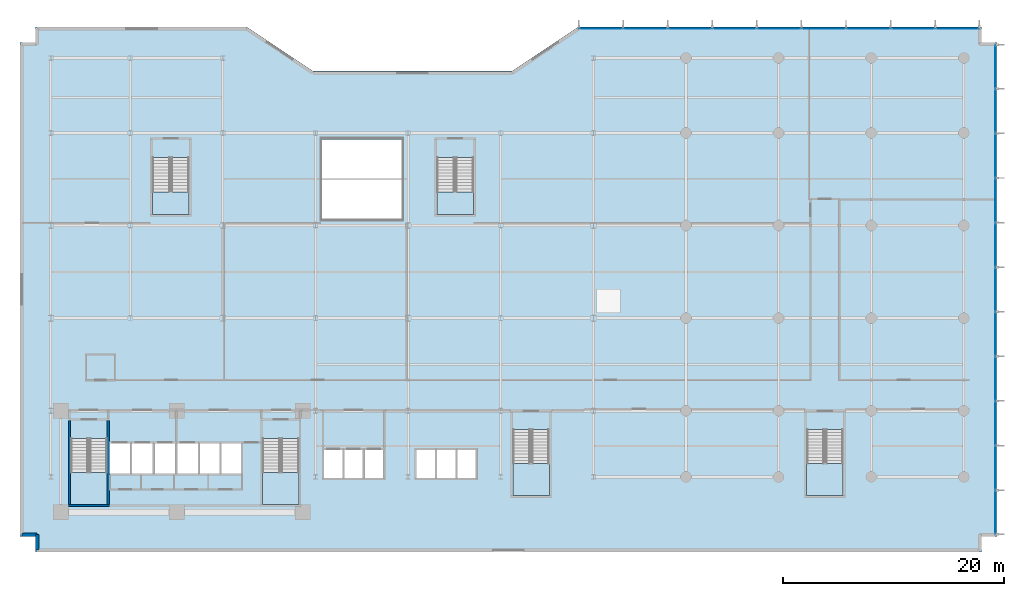
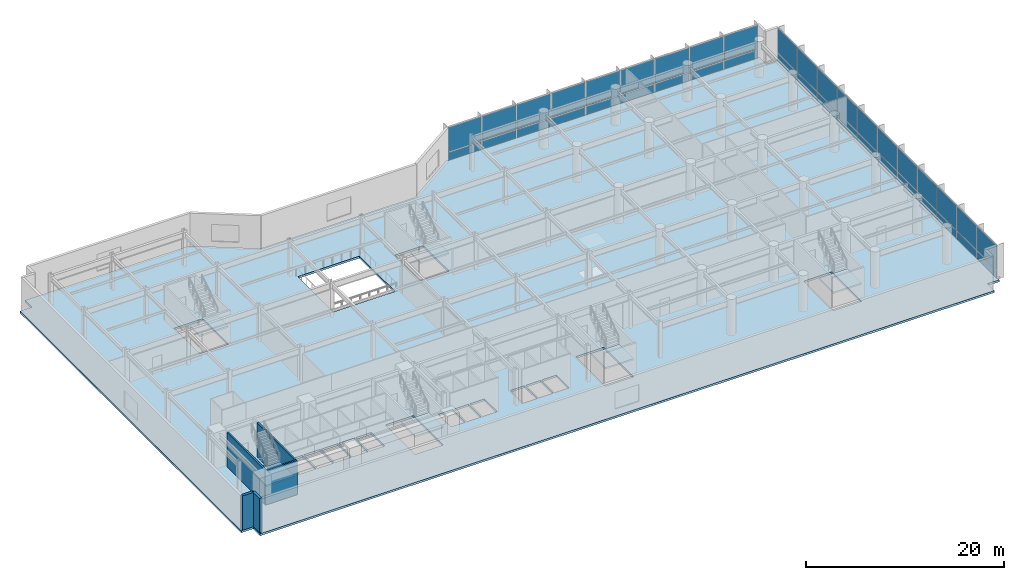
# One storey, part 13 of 26: 40 plates, 7 slabs, 5 walls, 8 elements without a shape of their own.
"""IFC4 building model written with IfcOpenShell, lengths in metres."""

from ifc_helpers import new_model, si_unit, direction, frame, frame_2d, origin, origin_2d, place, context, subcontext, project, spatial, polyline, rectangle, outline, extrude, material, layer, layer_set, type_object, element, aggregate, save


model = new_model("IFC4")

# Units and contexts
model_context = context("Model", 3, precision=1e-05, world=origin(), true_north=direction((0.0, 1.0)))
body_context = subcontext(model_context, "Body", "Model", "MODEL_VIEW")
ifc_project = project(units=[si_unit("LENGTHUNIT", "METRE"), si_unit("AREAUNIT", "SQUARE_METRE"), si_unit("VOLUMEUNIT", "CUBIC_METRE"), si_unit("PLANEANGLEUNIT", "RADIAN"), si_unit("MASSUNIT", "GRAM", prefix="KILO")], contexts=[model_context])

# Site, building, storey
site_placement = place(None, origin())
site = spatial("IfcSite", under=ifc_project, at=site_placement, CompositionType="ELEMENT")
building_placement = place(site_placement, origin())
building = spatial("IfcBuilding", under=site, at=building_placement, Name="Varnakote Quay Hospital", CompositionType="ELEMENT")
storey_placement = place(building_placement, frame((0.0, 0.0, 4.5)))
storey = spatial("IfcBuildingStorey", under=building, at=storey_placement, Name="L01", CompositionType="ELEMENT", Elevation=4.5)

# Curtain wall, plates
ifc_material_1 = material(Name="Anodised aluminium 6063-T6 Bronze", Category="aluminium")
ifc_layer_1 = layer(ifc_material_1, 0.175048828125)
ifc_layer_set_1 = layer_set([ifc_layer_1], Name="Anodised aluminium 6063-T6 Bronze")
curtain_wall_type = type_object("IfcCurtainWallType", Name="CW-SYS-1", PredefinedType="NOTDEFINED", material=ifc_layer_set_1)
curtain_wall_1_placement = place(storey_placement, origin())
curtain_wall_1 = element("IfcCurtainWall", 1, at=curtain_wall_1_placement, inside=storey, type_object=curtain_wall_type, Name="L01 Unitised Bronze Curtain Wall 1", PredefinedType="NOTDEFINED")
ifc_material_2 = material(Name="Double-glazed acoustic laminated glass", Category="glass")
ifc_layer_2 = layer(ifc_material_2, 0.031982421875)
ifc_layer_set_2 = layer_set([ifc_layer_2], Name="Double-glazed acoustic laminated glass")
plate_type = type_object("IfcPlateType", Name="CW-PNL-GLZ-32", PredefinedType="CURTAIN_PANEL", material=ifc_layer_set_2)
plate_1_placement = place(storey_placement, frame((86.840087890625, 2.802978515625, 0.0849609375), z_axis=(0.0, 0.0, 1.0), x_axis=(0.0, 1.0, 0.0)))
plate_1 = element("IfcPlate", 2, at=plate_1_placement, type_object=plate_type, Name="-1-L01-1 panel 1.1", PredefinedType="CURTAIN_PANEL", context=body_context, shape_type="SweptSolid", body=[
    extrude(rectangle(XDim=3.916015625, YDim=0.031982421875, at=origin_2d()), origin(), (0.0, 0.0, 1.0), 0.972412109375),
])
plate_2_placement = place(storey_placement, frame((86.840087890625, 2.802978515625, 1.142578125), z_axis=(0.0, 0.0, 1.0), x_axis=(0.0, 1.0, 0.0)))
plate_2 = element("IfcPlate", 3, at=plate_2_placement, type_object=plate_type, Name="-1-L01-1 panel 1.2", PredefinedType="CURTAIN_PANEL", context=body_context, shape_type="SweptSolid", body=[
    extrude(rectangle(XDim=3.916015625, YDim=0.031982421875, at=origin_2d()), origin(), (0.0, 0.0, 1.0), 3.0224609375),
])
plate_3_placement = place(storey_placement, frame((86.840087890625, 6.825439453125, 0.0849609375), z_axis=(0.0, 0.0, 1.0), x_axis=(0.0, 1.0, 0.0)))
plate_3 = element("IfcPlate", 4, at=plate_3_placement, type_object=plate_type, Name="-1-L01-1 panel 2.1", PredefinedType="CURTAIN_PANEL", context=body_context, shape_type="SweptSolid", body=[
    extrude(rectangle(XDim=3.958740234375, YDim=0.031982421875, at=origin_2d()), origin(), (0.0, 0.0, 1.0), 0.972412109375),
])
plate_4_placement = place(storey_placement, frame((86.840087890625, 6.825439453125, 1.142578125), z_axis=(0.0, 0.0, 1.0), x_axis=(0.0, 1.0, 0.0)))
plate_4 = element("IfcPlate", 5, at=plate_4_placement, type_object=plate_type, Name="-1-L01-1 panel 2.2", PredefinedType="CURTAIN_PANEL", context=body_context, shape_type="SweptSolid", body=[
    extrude(rectangle(XDim=3.958740234375, YDim=0.031982421875, at=origin_2d()), origin(), (0.0, 0.0, 1.0), 3.0224609375),
])
plate_5_placement = place(storey_placement, frame((86.840087890625, 10.869140625, 0.0849609375), z_axis=(0.0, 0.0, 1.0), x_axis=(0.0, 1.0, 0.0)))
plate_5 = element("IfcPlate", 6, at=plate_5_placement, type_object=plate_type, Name="-1-L01-1 panel 3.1", PredefinedType="CURTAIN_PANEL", context=body_context, shape_type="SweptSolid", body=[
    extrude(rectangle(XDim=3.958740234375, YDim=0.031982421875, at=origin_2d()), origin(), (0.0, 0.0, 1.0), 0.972412109375),
])
plate_6_placement = place(storey_placement, frame((86.840087890625, 10.869140625, 1.142578125), z_axis=(0.0, 0.0, 1.0), x_axis=(0.0, 1.0, 0.0)))
plate_6 = element("IfcPlate", 7, at=plate_6_placement, type_object=plate_type, Name="-1-L01-1 panel 3.2", PredefinedType="CURTAIN_PANEL", context=body_context, shape_type="SweptSolid", body=[
    extrude(rectangle(XDim=3.958740234375, YDim=0.031982421875, at=origin_2d()), origin(), (0.0, 0.0, 1.0), 3.0224609375),
])
plate_7_placement = place(storey_placement, frame((86.840087890625, 14.912841796875, 0.0849609375), z_axis=(0.0, 0.0, 1.0), x_axis=(0.0, 1.0, 0.0)))
plate_7 = element("IfcPlate", 8, at=plate_7_placement, type_object=plate_type, Name="-1-L01-1 panel 4.1", PredefinedType="CURTAIN_PANEL", context=body_context, shape_type="SweptSolid", body=[
    extrude(rectangle(XDim=3.958740234375, YDim=0.031982421875, at=origin_2d()), origin(), (0.0, 0.0, 1.0), 0.972412109375),
])
plate_8_placement = place(storey_placement, frame((86.840087890625, 14.912841796875, 1.142578125), z_axis=(0.0, 0.0, 1.0), x_axis=(0.0, 1.0, 0.0)))
plate_8 = element("IfcPlate", 9, at=plate_8_placement, type_object=plate_type, Name="-1-L01-1 panel 4.2", PredefinedType="CURTAIN_PANEL", context=body_context, shape_type="SweptSolid", body=[
    extrude(rectangle(XDim=3.958740234375, YDim=0.031982421875, at=origin_2d()), origin(), (0.0, 0.0, 1.0), 3.0224609375),
])
plate_9_placement = place(storey_placement, frame((86.840087890625, 18.956298828125, 0.0849609375), z_axis=(0.0, 0.0, 1.0), x_axis=(0.0, 1.0, 0.0)))
plate_9 = element("IfcPlate", 10, at=plate_9_placement, type_object=plate_type, Name="-1-L01-1 panel 5.1", PredefinedType="CURTAIN_PANEL", context=body_context, shape_type="SweptSolid", body=[
    extrude(rectangle(XDim=3.958740234375, YDim=0.031982421875, at=origin_2d()), origin(), (0.0, 0.0, 1.0), 0.972412109375),
])
plate_10_placement = place(storey_placement, frame((86.840087890625, 18.956298828125, 1.142578125), z_axis=(0.0, 0.0, 1.0), x_axis=(0.0, 1.0, 0.0)))
plate_10 = element("IfcPlate", 11, at=plate_10_placement, type_object=plate_type, Name="-1-L01-1 panel 5.2", PredefinedType="CURTAIN_PANEL", context=body_context, shape_type="SweptSolid", body=[
    extrude(rectangle(XDim=3.958740234375, YDim=0.031982421875, at=origin_2d()), origin(), (0.0, 0.0, 1.0), 3.0224609375),
])
plate_11_placement = place(storey_placement, frame((86.840087890625, 23.0, 0.0849609375), z_axis=(0.0, 0.0, 1.0), x_axis=(0.0, 1.0, 0.0)))
plate_11 = element("IfcPlate", 12, at=plate_11_placement, type_object=plate_type, Name="-1-L01-1 panel 6.1", PredefinedType="CURTAIN_PANEL", context=body_context, shape_type="SweptSolid", body=[
    extrude(rectangle(XDim=3.958740234375, YDim=0.031982421875, at=origin_2d()), origin(), (0.0, 0.0, 1.0), 0.972412109375),
])
plate_12_placement = place(storey_placement, frame((86.840087890625, 23.0, 1.142578125), z_axis=(0.0, 0.0, 1.0), x_axis=(0.0, 1.0, 0.0)))
plate_12 = element("IfcPlate", 13, at=plate_12_placement, type_object=plate_type, Name="-1-L01-1 panel 6.2", PredefinedType="CURTAIN_PANEL", context=body_context, shape_type="SweptSolid", body=[
    extrude(rectangle(XDim=3.958740234375, YDim=0.031982421875, at=origin_2d()), origin(), (0.0, 0.0, 1.0), 3.0224609375),
])
plate_13_placement = place(storey_placement, frame((86.840087890625, 27.043701171875, 0.0849609375), z_axis=(0.0, 0.0, 1.0), x_axis=(0.0, 1.0, 0.0)))
plate_13 = element("IfcPlate", 14, at=plate_13_placement, type_object=plate_type, Name="-1-L01-1 panel 7.1", PredefinedType="CURTAIN_PANEL", context=body_context, shape_type="SweptSolid", body=[
    extrude(rectangle(XDim=3.958740234375, YDim=0.031982421875, at=origin_2d()), origin(), (0.0, 0.0, 1.0), 0.972412109375),
])
plate_14_placement = place(storey_placement, frame((86.840087890625, 27.043701171875, 1.142578125), z_axis=(0.0, 0.0, 1.0), x_axis=(0.0, 1.0, 0.0)))
plate_14 = element("IfcPlate", 15, at=plate_14_placement, type_object=plate_type, Name="-1-L01-1 panel 7.2", PredefinedType="CURTAIN_PANEL", context=body_context, shape_type="SweptSolid", body=[
    extrude(rectangle(XDim=3.958740234375, YDim=0.031982421875, at=origin_2d()), origin(), (0.0, 0.0, 1.0), 3.0224609375),
])
plate_15_placement = place(storey_placement, frame((86.840087890625, 31.087158203125, 0.0849609375), z_axis=(0.0, 0.0, 1.0), x_axis=(0.0, 1.0, 0.0)))
plate_15 = element("IfcPlate", 16, at=plate_15_placement, type_object=plate_type, Name="-1-L01-1 panel 8.1", PredefinedType="CURTAIN_PANEL", context=body_context, shape_type="SweptSolid", body=[
    extrude(rectangle(XDim=3.958740234375, YDim=0.031982421875, at=origin_2d()), origin(), (0.0, 0.0, 1.0), 0.972412109375),
])
plate_16_placement = place(storey_placement, frame((86.840087890625, 31.087158203125, 1.142578125), z_axis=(0.0, 0.0, 1.0), x_axis=(0.0, 1.0, 0.0)))
plate_16 = element("IfcPlate", 17, at=plate_16_placement, type_object=plate_type, Name="-1-L01-1 panel 8.2", PredefinedType="CURTAIN_PANEL", context=body_context, shape_type="SweptSolid", body=[
    extrude(rectangle(XDim=3.958740234375, YDim=0.031982421875, at=origin_2d()), origin(), (0.0, 0.0, 1.0), 3.0224609375),
])
plate_17_placement = place(storey_placement, frame((86.840087890625, 35.130859375, 0.0849609375), z_axis=(0.0, 0.0, 1.0), x_axis=(0.0, 1.0, 0.0)))
plate_17 = element("IfcPlate", 18, at=plate_17_placement, type_object=plate_type, Name="-1-L01-1 panel 9.1", PredefinedType="CURTAIN_PANEL", context=body_context, shape_type="SweptSolid", body=[
    extrude(rectangle(XDim=3.958740234375, YDim=0.031982421875, at=origin_2d()), origin(), (0.0, 0.0, 1.0), 0.972412109375),
])
plate_18_placement = place(storey_placement, frame((86.840087890625, 35.130859375, 1.142578125), z_axis=(0.0, 0.0, 1.0), x_axis=(0.0, 1.0, 0.0)))
plate_18 = element("IfcPlate", 19, at=plate_18_placement, type_object=plate_type, Name="-1-L01-1 panel 9.2", PredefinedType="CURTAIN_PANEL", context=body_context, shape_type="SweptSolid", body=[
    extrude(rectangle(XDim=3.958740234375, YDim=0.031982421875, at=origin_2d()), origin(), (0.0, 0.0, 1.0), 3.0224609375),
])
plate_19_placement = place(storey_placement, frame((86.840087890625, 39.174560546875, 0.0849609375), z_axis=(0.0, 0.0, 1.0), x_axis=(0.0, 1.0, 0.0)))
plate_19 = element("IfcPlate", 20, at=plate_19_placement, type_object=plate_type, Name="-1-L01-1 panel 10.1", PredefinedType="CURTAIN_PANEL", context=body_context, shape_type="SweptSolid", body=[
    extrude(rectangle(XDim=3.958740234375, YDim=0.031982421875, at=origin_2d()), origin(), (0.0, 0.0, 1.0), 0.972412109375),
])
plate_20_placement = place(storey_placement, frame((86.840087890625, 39.174560546875, 1.142578125), z_axis=(0.0, 0.0, 1.0), x_axis=(0.0, 1.0, 0.0)))
plate_20 = element("IfcPlate", 21, at=plate_20_placement, type_object=plate_type, Name="-1-L01-1 panel 10.2", PredefinedType="CURTAIN_PANEL", context=body_context, shape_type="SweptSolid", body=[
    extrude(rectangle(XDim=3.958740234375, YDim=0.031982421875, at=origin_2d()), origin(), (0.0, 0.0, 1.0), 3.0224609375),
])
plate_21_placement = place(storey_placement, frame((86.840087890625, 43.197021484375, 0.0849609375), z_axis=(0.0, 0.0, 1.0), x_axis=(0.0, 1.0, 0.0)))
plate_21 = element("IfcPlate", 22, at=plate_21_placement, type_object=plate_type, Name="-1-L01-1 panel 11.1", PredefinedType="CURTAIN_PANEL", context=body_context, shape_type="SweptSolid", body=[
    extrude(rectangle(XDim=3.916015625, YDim=0.031982421875, at=origin_2d()), origin(), (0.0, 0.0, 1.0), 0.972412109375),
])
plate_22_placement = place(storey_placement, frame((86.840087890625, 43.197021484375, 1.142578125), z_axis=(0.0, 0.0, 1.0), x_axis=(0.0, 1.0, 0.0)))
plate_22 = element("IfcPlate", 23, at=plate_22_placement, type_object=plate_type, Name="-1-L01-1 panel 11.2", PredefinedType="CURTAIN_PANEL", context=body_context, shape_type="SweptSolid", body=[
    extrude(rectangle(XDim=3.916015625, YDim=0.031982421875, at=origin_2d()), origin(), (0.0, 0.0, 1.0), 3.0224609375),
])
aggregate(curtain_wall_1, [plate_1, plate_2, plate_3, plate_4, plate_5, plate_6, plate_7, plate_8, plate_9, plate_10, plate_11, plate_12, plate_13, plate_14, plate_15, plate_16, plate_17, plate_18, plate_19, plate_20, plate_21, plate_22])

curtain_wall_2_placement = place(storey_placement, origin())
curtain_wall_2 = element("IfcCurtainWall", 24, at=curtain_wall_2_placement, inside=storey, type_object=curtain_wall_type, Name="L01 Unitised Bronze Curtain Wall 2", PredefinedType="NOTDEFINED")
plate_23_placement = place(storey_placement, frame((83.39697265625, 46.639892578125, 0.0849609375), z_axis=(0.0, 0.0, 1.0), x_axis=(-1.0, 0.0, 0.0)))
plate_23 = element("IfcPlate", 25, at=plate_23_placement, type_object=plate_type, Name="-1-L01-2 panel 1.1", PredefinedType="CURTAIN_PANEL", context=body_context, shape_type="SweptSolid", body=[
    extrude(rectangle(XDim=3.916015625, YDim=0.031982421875, at=origin_2d()), origin(), (0.0, 0.0, 1.0), 0.972412109375),
])
plate_24_placement = place(storey_placement, frame((83.39697265625, 46.639892578125, 1.142578125), z_axis=(0.0, 0.0, 1.0), x_axis=(-1.0, 0.0, 0.0)))
plate_24 = element("IfcPlate", 26, at=plate_24_placement, type_object=plate_type, Name="-1-L01-2 panel 1.2", PredefinedType="CURTAIN_PANEL", context=body_context, shape_type="SweptSolid", body=[
    extrude(rectangle(XDim=3.916015625, YDim=0.031982421875, at=origin_2d()), origin(), (0.0, 0.0, 1.0), 3.0224609375),
])
plate_25_placement = place(storey_placement, frame((79.374755859375, 46.639892578125, 0.0849609375), z_axis=(0.0, 0.0, 1.0), x_axis=(-1.0, 0.0, 0.0)))
plate_25 = element("IfcPlate", 27, at=plate_25_placement, type_object=plate_type, Name="-1-L01-2 panel 2.1", PredefinedType="CURTAIN_PANEL", context=body_context, shape_type="SweptSolid", body=[
    extrude(rectangle(XDim=3.95849609375, YDim=0.031982421875, at=origin_2d()), origin(), (0.0, 0.0, 1.0), 0.972412109375),
])
plate_26_placement = place(storey_placement, frame((79.374755859375, 46.639892578125, 1.142578125), z_axis=(0.0, 0.0, 1.0), x_axis=(-1.0, 0.0, 0.0)))
plate_26 = element("IfcPlate", 28, at=plate_26_placement, type_object=plate_type, Name="-1-L01-2 panel 2.2", PredefinedType="CURTAIN_PANEL", context=body_context, shape_type="SweptSolid", body=[
    extrude(rectangle(XDim=3.95849609375, YDim=0.031982421875, at=origin_2d()), origin(), (0.0, 0.0, 1.0), 3.0224609375),
])
plate_27_placement = place(storey_placement, frame((75.331298828125, 46.639892578125, 0.0849609375), z_axis=(0.0, 0.0, 1.0), x_axis=(-1.0, 0.0, 0.0)))
plate_27 = element("IfcPlate", 29, at=plate_27_placement, type_object=plate_type, Name="-1-L01-2 panel 3.1", PredefinedType="CURTAIN_PANEL", context=body_context, shape_type="SweptSolid", body=[
    extrude(rectangle(XDim=3.95849609375, YDim=0.031982421875, at=origin_2d()), origin(), (0.0, 0.0, 1.0), 0.972412109375),
])
plate_28_placement = place(storey_placement, frame((75.331298828125, 46.639892578125, 1.142578125), z_axis=(0.0, 0.0, 1.0), x_axis=(-1.0, 0.0, 0.0)))
plate_28 = element("IfcPlate", 30, at=plate_28_placement, type_object=plate_type, Name="-1-L01-2 panel 3.2", PredefinedType="CURTAIN_PANEL", context=body_context, shape_type="SweptSolid", body=[
    extrude(rectangle(XDim=3.95849609375, YDim=0.031982421875, at=origin_2d()), origin(), (0.0, 0.0, 1.0), 3.0224609375),
])
plate_29_placement = place(storey_placement, frame((71.28759765625, 46.639892578125, 0.0849609375), z_axis=(0.0, 0.0, 1.0), x_axis=(-1.0, 0.0, 0.0)))
plate_29 = element("IfcPlate", 31, at=plate_29_placement, type_object=plate_type, Name="-1-L01-2 panel 4.1", PredefinedType="CURTAIN_PANEL", context=body_context, shape_type="SweptSolid", body=[
    extrude(rectangle(XDim=3.95849609375, YDim=0.031982421875, at=origin_2d()), origin(), (0.0, 0.0, 1.0), 0.972412109375),
])
plate_30_placement = place(storey_placement, frame((71.28759765625, 46.639892578125, 1.142578125), z_axis=(0.0, 0.0, 1.0), x_axis=(-1.0, 0.0, 0.0)))
plate_30 = element("IfcPlate", 32, at=plate_30_placement, type_object=plate_type, Name="-1-L01-2 panel 4.2", PredefinedType="CURTAIN_PANEL", context=body_context, shape_type="SweptSolid", body=[
    extrude(rectangle(XDim=3.95849609375, YDim=0.031982421875, at=origin_2d()), origin(), (0.0, 0.0, 1.0), 3.0224609375),
])
plate_31_placement = place(storey_placement, frame((67.244140625, 46.639892578125, 0.0849609375), z_axis=(0.0, 0.0, 1.0), x_axis=(-1.0, 0.0, 0.0)))
plate_31 = element("IfcPlate", 33, at=plate_31_placement, type_object=plate_type, Name="-1-L01-2 panel 5.1", PredefinedType="CURTAIN_PANEL", context=body_context, shape_type="SweptSolid", body=[
    extrude(rectangle(XDim=3.95849609375, YDim=0.031982421875, at=origin_2d()), origin(), (0.0, 0.0, 1.0), 0.972412109375),
])
plate_32_placement = place(storey_placement, frame((67.244140625, 46.639892578125, 1.142578125), z_axis=(0.0, 0.0, 1.0), x_axis=(-1.0, 0.0, 0.0)))
plate_32 = element("IfcPlate", 34, at=plate_32_placement, type_object=plate_type, Name="-1-L01-2 panel 5.2", PredefinedType="CURTAIN_PANEL", context=body_context, shape_type="SweptSolid", body=[
    extrude(rectangle(XDim=3.95849609375, YDim=0.031982421875, at=origin_2d()), origin(), (0.0, 0.0, 1.0), 3.0224609375),
])
plate_33_placement = place(storey_placement, frame((63.20068359375, 46.639892578125, 0.0849609375), z_axis=(0.0, 0.0, 1.0), x_axis=(-1.0, 0.0, 0.0)))
plate_33 = element("IfcPlate", 35, at=plate_33_placement, type_object=plate_type, Name="-1-L01-2 panel 6.1", PredefinedType="CURTAIN_PANEL", context=body_context, shape_type="SweptSolid", body=[
    extrude(rectangle(XDim=3.95849609375, YDim=0.031982421875, at=origin_2d()), origin(), (0.0, 0.0, 1.0), 0.972412109375),
])
plate_34_placement = place(storey_placement, frame((63.20068359375, 46.639892578125, 1.142578125), z_axis=(0.0, 0.0, 1.0), x_axis=(-1.0, 0.0, 0.0)))
plate_34 = element("IfcPlate", 36, at=plate_34_placement, type_object=plate_type, Name="-1-L01-2 panel 6.2", PredefinedType="CURTAIN_PANEL", context=body_context, shape_type="SweptSolid", body=[
    extrude(rectangle(XDim=3.95849609375, YDim=0.031982421875, at=origin_2d()), origin(), (0.0, 0.0, 1.0), 3.0224609375),
])
plate_35_placement = place(storey_placement, frame((59.1572265625, 46.639892578125, 0.0849609375), z_axis=(0.0, 0.0, 1.0), x_axis=(-1.0, 0.0, 0.0)))
plate_35 = element("IfcPlate", 37, at=plate_35_placement, type_object=plate_type, Name="-1-L01-2 panel 7.1", PredefinedType="CURTAIN_PANEL", context=body_context, shape_type="SweptSolid", body=[
    extrude(rectangle(XDim=3.95849609375, YDim=0.031982421875, at=origin_2d()), origin(), (0.0, 0.0, 1.0), 0.972412109375),
])
plate_36_placement = place(storey_placement, frame((59.1572265625, 46.639892578125, 1.142578125), z_axis=(0.0, 0.0, 1.0), x_axis=(-1.0, 0.0, 0.0)))
plate_36 = element("IfcPlate", 38, at=plate_36_placement, type_object=plate_type, Name="-1-L01-2 panel 7.2", PredefinedType="CURTAIN_PANEL", context=body_context, shape_type="SweptSolid", body=[
    extrude(rectangle(XDim=3.95849609375, YDim=0.031982421875, at=origin_2d()), origin(), (0.0, 0.0, 1.0), 3.0224609375),
])
plate_37_placement = place(storey_placement, frame((55.11376953125, 46.639892578125, 0.0849609375), z_axis=(0.0, 0.0, 1.0), x_axis=(-1.0, 0.0, 0.0)))
plate_37 = element("IfcPlate", 39, at=plate_37_placement, type_object=plate_type, Name="-1-L01-2 panel 8.1", PredefinedType="CURTAIN_PANEL", context=body_context, shape_type="SweptSolid", body=[
    extrude(rectangle(XDim=3.95849609375, YDim=0.031982421875, at=origin_2d()), origin(), (0.0, 0.0, 1.0), 0.972412109375),
])
plate_38_placement = place(storey_placement, frame((55.11376953125, 46.639892578125, 1.142578125), z_axis=(0.0, 0.0, 1.0), x_axis=(-1.0, 0.0, 0.0)))
plate_38 = element("IfcPlate", 40, at=plate_38_placement, type_object=plate_type, Name="-1-L01-2 panel 8.2", PredefinedType="CURTAIN_PANEL", context=body_context, shape_type="SweptSolid", body=[
    extrude(rectangle(XDim=3.95849609375, YDim=0.031982421875, at=origin_2d()), origin(), (0.0, 0.0, 1.0), 3.0224609375),
])
plate_39_placement = place(storey_placement, frame((51.09130859375, 46.639892578125, 0.0849609375), z_axis=(0.0, 0.0, 1.0), x_axis=(-1.0, 0.0, 0.0)))
plate_39 = element("IfcPlate", 41, at=plate_39_placement, type_object=plate_type, Name="-1-L01-2 panel 9.1", PredefinedType="CURTAIN_PANEL", context=body_context, shape_type="SweptSolid", body=[
    extrude(rectangle(XDim=3.916015625, YDim=0.031982421875, at=origin_2d()), origin(), (0.0, 0.0, 1.0), 0.972412109375),
])
plate_40_placement = place(storey_placement, frame((51.09130859375, 46.639892578125, 1.142578125), z_axis=(0.0, 0.0, 1.0), x_axis=(-1.0, 0.0, 0.0)))
plate_40 = element("IfcPlate", 42, at=plate_40_placement, type_object=plate_type, Name="-1-L01-2 panel 9.2", PredefinedType="CURTAIN_PANEL", context=body_context, shape_type="SweptSolid", body=[
    extrude(rectangle(XDim=3.916015625, YDim=0.031982421875, at=origin_2d()), origin(), (0.0, 0.0, 1.0), 3.0224609375),
])
aggregate(curtain_wall_2, [plate_23, plate_24, plate_25, plate_26, plate_27, plate_28, plate_29, plate_30, plate_31, plate_32, plate_33, plate_34, plate_35, plate_36, plate_37, plate_38, plate_39, plate_40])

# Slab
ifc_material_3 = material(Name="Concrete N50 (f'c 50 MPa)", Category="concrete")
ifc_layer_3 = layer(ifc_material_3, 0.25)
ifc_layer_set_3 = layer_set([ifc_layer_3], Name="Concrete N50 (f'c 50 MPa)")
slab_type_1 = type_object("IfcSlabType", Name="SLB-POD-250", PredefinedType="FLOOR", material=ifc_layer_set_3)
slab_1_placement = place(storey_placement, frame((0.0, 0.0, -0.25)))
element("IfcSlab", 43, at=slab_1_placement, inside=storey, type_object=slab_type_1, Name="L01 Primary Floor Slab", PredefinedType="FLOOR", context=body_context, shape_type="SweptSolid", body=[
    extrude(outline(polyline([(-1.60009765625, 0.60009765625), (-0.199951171875, 0.60009765625), (-0.199951171875, -0.800048828125), (85.60009765625, -0.800048828125), (85.60009765625, 0.60009765625), (87.0, 0.60009765625), (87.0, 45.39990234375), (85.60009765625, 45.39990234375), (85.60009765625, 46.800048828125), (49.0, 46.800048828125), (43.0, 42.800048828125), (25.0, 42.800048828125), (19.0, 46.800048828125), (-0.199951171875, 46.800048828125), (-0.199951171875, 45.39990234375), (-1.60009765625, 45.39990234375), (-1.60009765625, 0.60009765625)]), holes=[polyline([(3.0, 3.5), (6.300048828125, 3.5), (6.300048828125, 9.49951171875), (3.0, 9.49951171875), (3.0, 3.5)]), polyline([(20.39990234375, 3.5), (23.699951171875, 3.5), (23.699951171875, 9.49951171875), (20.39990234375, 9.49951171875), (20.39990234375, 3.5)]), polyline([(43.10009765625, 4.300048828125), (46.39990234375, 4.300048828125), (46.39990234375, 10.29931640625), (43.10009765625, 10.29931640625), (43.10009765625, 4.300048828125)]), polyline([(10.39990234375, 29.800048828125), (13.739990234375, 29.800048828125), (13.739990234375, 34.9794921875), (10.39990234375, 34.9794921875), (10.39990234375, 29.800048828125)]), polyline([(36.199951171875, 29.800048828125), (39.5400390625, 29.800048828125), (39.5400390625, 34.9794921875), (36.199951171875, 34.9794921875), (36.199951171875, 29.800048828125)]), polyline([(69.75, 4.300048828125), (73.050048828125, 4.300048828125), (73.050048828125, 10.29931640625), (69.75, 10.29931640625), (69.75, 4.300048828125)]), polyline([(6.5, 6.300048828125), (8.39990234375, 6.300048828125), (8.39990234375, 9.050048828125), (6.5, 9.050048828125), (6.5, 6.300048828125)]), polyline([(8.550048828125, 6.300048828125), (10.449951171875, 6.300048828125), (10.449951171875, 9.050048828125), (8.550048828125, 9.050048828125), (8.550048828125, 6.300048828125)]), polyline([(10.60009765625, 6.300048828125), (12.5, 6.300048828125), (12.5, 9.050048828125), (10.60009765625, 9.050048828125), (10.60009765625, 6.300048828125)]), polyline([(12.64990234375, 6.300048828125), (14.550048828125, 6.300048828125), (14.550048828125, 9.050048828125), (12.64990234375, 9.050048828125), (12.64990234375, 6.300048828125)]), polyline([(14.699951171875, 6.300048828125), (16.5, 6.300048828125), (16.5, 9.050048828125), (14.699951171875, 9.050048828125), (14.699951171875, 6.300048828125)]), polyline([(16.64990234375, 6.300048828125), (18.449951171875, 6.300048828125), (18.449951171875, 9.050048828125), (16.64990234375, 9.050048828125), (16.64990234375, 6.300048828125)]), polyline([(25.949951171875, 5.89990234375), (27.64990234375, 5.89990234375), (27.64990234375, 8.449951171875), (25.949951171875, 8.449951171875), (25.949951171875, 5.89990234375)]), polyline([(27.800048828125, 5.89990234375), (29.5, 5.89990234375), (29.5, 8.449951171875), (27.800048828125, 8.449951171875), (27.800048828125, 5.89990234375)]), polyline([(29.64990234375, 5.89990234375), (31.35009765625, 5.89990234375), (31.35009765625, 8.449951171875), (29.64990234375, 8.449951171875), (29.64990234375, 5.89990234375)]), polyline([(34.35009765625, 5.89990234375), (36.050048828125, 5.89990234375), (36.050048828125, 8.449951171875), (34.35009765625, 8.449951171875), (34.35009765625, 5.89990234375)]), polyline([(36.199951171875, 5.89990234375), (37.89990234375, 5.89990234375), (37.89990234375, 8.449951171875), (36.199951171875, 8.449951171875), (36.199951171875, 5.89990234375)]), polyline([(38.050048828125, 5.89990234375), (39.75, 5.89990234375), (39.75, 8.449951171875), (38.050048828125, 8.449951171875), (38.050048828125, 5.89990234375)]), polyline([(25.800048828125, 29.39990234375), (33.0, 29.39990234375), (33.0, 36.60009765625), (25.800048828125, 36.60009765625), (25.800048828125, 29.39990234375)])]), origin(), (0.0, 0.0, 1.0), 0.25),
])

# Stair, slab
ifc_material_4 = material(Name="Concrete N40 (f'c 40 MPa)", Category="concrete")
stair_type_1 = type_object("IfcStairType", Name="STR-CORE-1580", PredefinedType="HALF_TURN_STAIR", material=ifc_material_4)
stair_1_placement = place(storey_placement, origin())
stair_1 = element("IfcStair", 44, at=stair_1_placement, inside=storey, type_object=stair_type_1, Name="L01 Fire-Isolated Exit Stair ST-01", PredefinedType="HALF_TURN_STAIR")
ifc_material_5 = material(Name="Concrete N40 (f'c 40 MPa)", Category="concrete")
ifc_layer_4 = layer(ifc_material_5, 0.199951171875)
ifc_layer_set_4 = layer_set([ifc_layer_4], Name="Concrete N40 (f'c 40 MPa)")
slab_type_2 = type_object("IfcSlabType", Name="SLB-STAIR-LND-200", PredefinedType="LANDING", material=ifc_layer_set_4)
slab_2_placement = place(storey_placement, frame((0.0, 0.0, 2.050048828125)))
slab_2 = element("IfcSlab", 45, at=slab_2_placement, type_object=slab_type_2, Name="ST-01 landing 1", PredefinedType="LANDING", context=body_context, shape_type="SweptSolid", body=[
    extrude(outline(polyline([(3.0, 6.419921875), (3.0, 3.5), (6.300048828125, 3.5), (6.300048828125, 6.419921875), (3.0, 6.419921875)])), origin(), (0.0, 0.0, 1.0), 0.199951171875),
])
aggregate(stair_1, [slab_2])

stair_2_placement = place(storey_placement, origin())
stair_2 = element("IfcStair", 46, at=stair_2_placement, inside=storey, type_object=stair_type_1, Name="L01 Fire-Isolated Exit Stair ST-02", PredefinedType="HALF_TURN_STAIR")
slab_3_placement = place(storey_placement, frame((0.0, 0.0, 2.050048828125)))
slab_3 = element("IfcSlab", 47, at=slab_3_placement, type_object=slab_type_2, Name="ST-02 landing 1", PredefinedType="LANDING", context=body_context, shape_type="SweptSolid", body=[
    extrude(outline(polyline([(20.39990234375, 6.419921875), (20.39990234375, 3.5), (23.699951171875, 3.5), (23.699951171875, 6.419921875), (20.39990234375, 6.419921875)])), origin(), (0.0, 0.0, 1.0), 0.199951171875),
])
aggregate(stair_2, [slab_3])

stair_3_placement = place(storey_placement, origin())
stair_3 = element("IfcStair", 48, at=stair_3_placement, inside=storey, type_object=stair_type_1, Name="L01 Fire-Isolated Exit Stair ST-03", PredefinedType="HALF_TURN_STAIR")
slab_4_placement = place(storey_placement, frame((0.0, 0.0, 2.050048828125)))
slab_4 = element("IfcSlab", 49, at=slab_4_placement, type_object=slab_type_2, Name="ST-03 landing 1", PredefinedType="LANDING", context=body_context, shape_type="SweptSolid", body=[
    extrude(outline(polyline([(43.10009765625, 7.219970703125), (43.10009765625, 4.300048828125), (46.39990234375, 4.300048828125), (46.39990234375, 7.219970703125), (43.10009765625, 7.219970703125)])), origin(), (0.0, 0.0, 1.0), 0.199951171875),
])
aggregate(stair_3, [slab_4])

ifc_material_6 = material(Name="Concrete N40 (f'c 40 MPa)", Category="concrete")
stair_type_2 = type_object("IfcStairType", Name="STR-POD-1600", PredefinedType="HALF_TURN_STAIR", material=ifc_material_6)
stair_4_placement = place(storey_placement, origin())
stair_4 = element("IfcStair", 50, at=stair_4_placement, inside=storey, type_object=stair_type_2, Name="L01 Podium Diagnostic Stair ST-04", PredefinedType="HALF_TURN_STAIR")
slab_5_placement = place(storey_placement, frame((0.0, 0.0, 2.050048828125)))
slab_5 = element("IfcSlab", 51, at=slab_5_placement, type_object=slab_type_2, Name="ST-04 landing 1", PredefinedType="LANDING", context=body_context, shape_type="SweptSolid", body=[
    extrude(outline(polyline([(10.39990234375, 31.844970703125), (10.39990234375, 29.800048828125), (13.739990234375, 29.800048828125), (13.739990234375, 31.844970703125), (10.39990234375, 31.844970703125)])), origin(), (0.0, 0.0, 1.0), 0.199951171875),
])
aggregate(stair_4, [slab_5])

stair_5_placement = place(storey_placement, origin())
stair_5 = element("IfcStair", 52, at=stair_5_placement, inside=storey, type_object=stair_type_2, Name="L01 Podium Surgical Stair ST-05", PredefinedType="HALF_TURN_STAIR")
slab_6_placement = place(storey_placement, frame((0.0, 0.0, 2.050048828125)))
slab_6 = element("IfcSlab", 53, at=slab_6_placement, type_object=slab_type_2, Name="ST-05 landing 1", PredefinedType="LANDING", context=body_context, shape_type="SweptSolid", body=[
    extrude(outline(polyline([(36.199951171875, 31.844970703125), (36.199951171875, 29.800048828125), (39.5400390625, 29.800048828125), (39.5400390625, 31.844970703125), (36.199951171875, 31.844970703125)])), origin(), (0.0, 0.0, 1.0), 0.199951171875),
])
aggregate(stair_5, [slab_6])

stair_6_placement = place(storey_placement, origin())
stair_6 = element("IfcStair", 54, at=stair_6_placement, inside=storey, type_object=stair_type_1, Name="L01 East Podium Fire-Isolated Exit Stair ST-06", PredefinedType="HALF_TURN_STAIR")
slab_7_placement = place(storey_placement, frame((0.0, 0.0, 2.050048828125)))
slab_7 = element("IfcSlab", 55, at=slab_7_placement, type_object=slab_type_2, Name="ST-06 landing 1", PredefinedType="LANDING", context=body_context, shape_type="SweptSolid", body=[
    extrude(outline(polyline([(69.75, 7.219970703125), (69.75, 4.300048828125), (73.050048828125, 4.300048828125), (73.050048828125, 7.219970703125), (69.75, 7.219970703125)])), origin(), (0.0, 0.0, 1.0), 0.199951171875),
])
aggregate(stair_6, [slab_7])

# Walls
ifc_material_7 = material(Name="Precast concrete N50 (f'c 50 MPa)", Category="concrete")
ifc_layer_5 = layer(ifc_material_7, 0.300048828125)
ifc_layer_set_5 = layer_set([ifc_layer_5], Name="Precast concrete N50 (f'c 50 MPa)")
wall_type_1 = type_object("IfcWallType", Name="WL-EXT-BRICK-300", PredefinedType="STANDARD", material=ifc_layer_set_5)
for number, where, z_axis, x_axis, name in (
    (56, (-0.0400390625, 0.760009765625, 0.0), (0.0, 0.0, 1.0), (0.0, -1.0, 0.0), "L01 Brick-Faced Precast Exterior Wall"),
    (57, (-1.43994140625, 0.760009765625, 0.0), (0.0, 0.0, 1.0), (1.0, 0.0, 0.0), "L01 Brick-Faced Precast Exterior Wall"),
):
    element("IfcWall", number, at=place(storey_placement, frame(where, z_axis=z_axis, x_axis=x_axis)), inside=storey, type_object=wall_type_1, Name=name, PredefinedType="STANDARD", context=body_context, shape_type="SweptSolid", body=[
        extrude(rectangle(XDim=1.39990234375, YDim=0.300048828125, at=frame_2d((0.699951171875, 0.0))), origin(), (0.0, 0.0, 1.0), 4.25),
    ])
ifc_material_8 = material(Name="Concrete N50 (f'c 50 MPa)", Category="concrete")
ifc_layer_6 = layer(ifc_material_8, 0.199951171875)
ifc_layer_set_6 = layer_set([ifc_layer_6], Name="Concrete N50 (f'c 50 MPa)")
wall_type_2 = type_object("IfcWallType", Name="WL-SHAFT-N50-200", PredefinedType="SHEAR", material=ifc_layer_set_6)
wall_placement = place(storey_placement, frame((2.800048828125, 3.39990234375, 0.0), z_axis=(0.0, 0.0, 1.0), x_axis=(1.0, 0.0, 0.0)))
element("IfcWall", 58, at=wall_placement, inside=storey, type_object=wall_type_2, Name="L01 Stair ST1 South Shaft Wall", PredefinedType="SHEAR", context=body_context, shape_type="SweptSolid", body=[
    extrude(rectangle(XDim=3.699951171875, YDim=0.199951171875, at=frame_2d((1.85009765625, 0.0))), origin(), (0.0, 0.0, 1.0), 4.25),
])
for number, where, z_axis, x_axis, name in (
    (59, (2.89990234375, 3.5, 0.0), (0.0, 0.0, 1.0), (0.0, 1.0, 0.0), "L01 Stair ST1 West Shaft Wall"),
    (60, (6.39990234375, 3.5, 0.0), (0.0, 0.0, 1.0), (0.0, 1.0, 0.0), "L01 Stair ST1 East Shaft Wall"),
):
    element("IfcWall", number, at=place(storey_placement, frame(where, z_axis=z_axis, x_axis=x_axis)), inside=storey, type_object=wall_type_2, Name=name, PredefinedType="SHEAR", context=body_context, shape_type="SweptSolid", body=[
        extrude(rectangle(XDim=7.60009765625, YDim=0.199951171875, at=frame_2d((3.800048828125, 0.0))), origin(), (0.0, 0.0, 1.0), 4.25),
    ])

save(model, "model.ifc")
